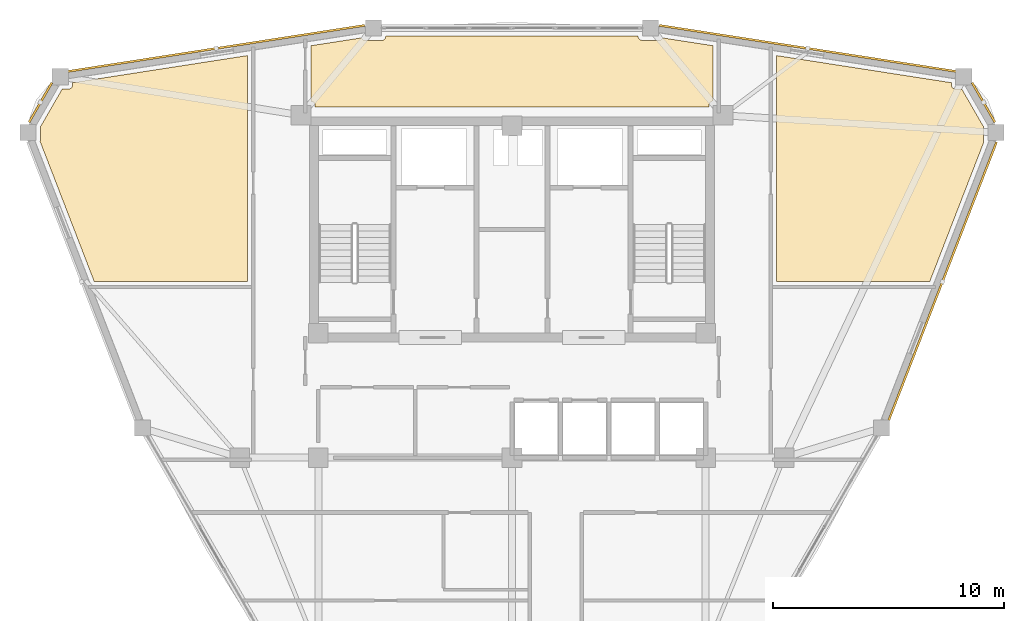
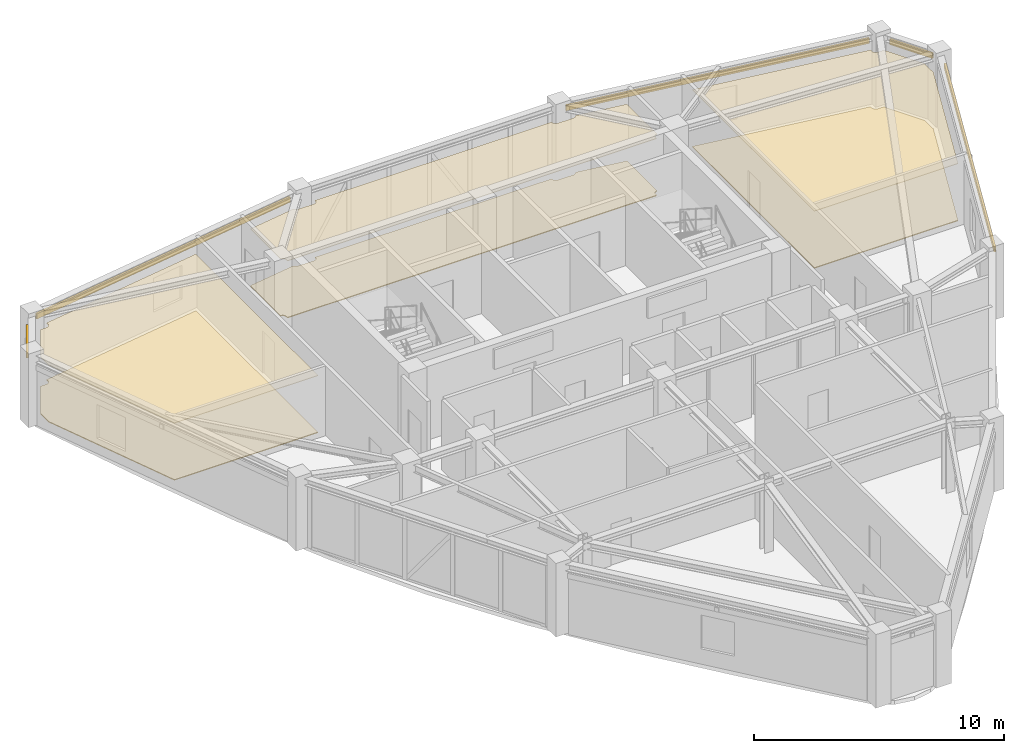
# One storey, part 15 of 15: 6 coverings, 5 shading devices.
"""IFC4 building model written with IfcOpenShell, lengths in metres."""

from ifc_helpers import new_model, si_unit, derived_unit, direction, frame, origin, origin_2d, place, context, subcontext, project, spatial, polyline, hollow_rectangle, outline, extrude, source, transform, mapped, material, layer, layer_set, material_profile, profile_set, type_object, element, save


model = new_model("IFC4")

# Units and contexts
model_context = context("Model", 3, precision=1e-05, world=origin(), true_north=direction((0.0, 1.0)))
body_context = subcontext(model_context, "Body", "Model", "MODEL_VIEW")
ifc_project = project(units=[si_unit("LENGTHUNIT", "METRE"), si_unit("AREAUNIT", "SQUARE_METRE"), si_unit("VOLUMEUNIT", "CUBIC_METRE"), si_unit("PLANEANGLEUNIT", "RADIAN"), si_unit("MASSUNIT", "GRAM", prefix="KILO"), derived_unit("THERMALTRANSMITTANCEUNIT", [(si_unit("POWERUNIT", "WATT"), 1), (si_unit("LENGTHUNIT", "METRE"), -2), (si_unit("THERMODYNAMICTEMPERATUREUNIT", "KELVIN"), -1)])], contexts=[model_context])

# Site, building, storey
site_placement = place(None, origin())
site = spatial("IfcSite", under=ifc_project, at=site_placement, CompositionType="ELEMENT")
building_placement = place(site_placement, origin())
building = spatial("IfcBuilding", under=site, at=building_placement, Name="Korsvarv Bourse and Concert Hall", CompositionType="ELEMENT")
storey_placement = place(building_placement, frame((0.0, 0.0, 246.60009765625)))
storey = spatial("IfcBuildingStorey", under=building, at=storey_placement, Name="L64", CompositionType="ELEMENT", Elevation=246.60009765625)

# Coverings
ifc_material_1 = material(Name="Perforated mineral-wool and birch acoustic baffle ceiling", Category="wood")
ifc_layer_1 = layer(ifc_material_1, 0.02490234375)
ifc_layer_set_1 = layer_set([ifc_layer_1], Name="Perforated mineral-wool and birch acoustic baffle ceiling")
covering_type_1 = type_object("IfcCoveringType", Name="COV-CEIL-1", PredefinedType="CEILING", material=ifc_layer_set_1)
covering_1_placement = place(storey_placement, frame((0.0, 0.0, 2.789794921875)))
element("IfcCovering", 1, at=covering_1_placement, inside=storey, type_object=covering_type_1, Name="L64 acoustic baffle ceiling 1", PredefinedType="CEILING", context=body_context, shape_type="SweptSolid", body=[
    extrude(outline(polyline([(15.538330078125, 46.106201171875), (15.542236328125, 46.14111328125), (15.551513671875, 46.7578125), (16.490478515625, 48.384033203125), (16.759521484375, 48.384033203125), (16.793701171875, 48.387451171875), (16.826904296875, 48.397216796875), (16.857421875, 48.4130859375), (16.884521484375, 48.434326171875), (16.90673828125, 48.46044921875), (16.923828125, 48.490234375), (16.934814453125, 48.52294921875), (16.939453125, 48.556884765625), (16.943603515625, 48.6630859375), (24.52001953125, 49.8388671875), (24.52001953125, 40.050048828125), (17.877197265625, 40.050048828125), (15.538330078125, 46.106201171875)])), origin(), (0.0, 0.0, 1.0), 0.025146484375),
])
covering_2_placement = place(storey_placement, frame((0.0, 0.0, 2.789794921875)))
element("IfcCovering", 2, at=covering_2_placement, inside=storey, type_object=covering_type_1, Name="L64 acoustic baffle ceiling 2", PredefinedType="CEILING", context=body_context, shape_type="SweptSolid", body=[
    extrude(outline(polyline([(55.05029296875, 48.57421875), (55.0537109375, 48.53955078125), (55.063720703125, 48.50634765625), (55.079833984375, 48.4755859375), (55.1015625, 48.448486328125), (55.1279296875, 48.426025390625), (55.158203125, 48.4091796875), (55.19140625, 48.3984375), (55.2255859375, 48.394287109375), (55.508056640625, 48.38671875), (56.44775390625, 46.759033203125), (56.44775390625, 46.15380859375), (56.451171875, 46.11865234375), (56.461181640625, 46.085693359375), (54.122802734375, 40.050048828125), (47.47998046875, 40.050048828125), (47.47998046875, 49.8388671875), (55.05029296875, 48.663818359375), (55.05029296875, 48.57421875)])), origin(), (0.0, 0.0, 1.0), 0.025146484375),
])
covering_3_placement = place(storey_placement, frame((0.0, 0.0, 2.789794921875)))
element("IfcCovering", 3, at=covering_3_placement, inside=storey, type_object=covering_type_1, Name="L64 acoustic baffle ceiling 3", PredefinedType="CEILING", context=body_context, shape_type="SweptSolid", body=[
    extrude(outline(polyline([(29.472412109375, 50.607421875), (29.4853515625, 50.58349609375), (29.50732421875, 50.556396484375), (29.5341796875, 50.533935546875), (29.56494140625, 50.51708984375), (29.598388671875, 50.506591796875), (29.633056640625, 50.502685546875), (30.343017578125, 50.49267578125), (30.37744140625, 50.49560546875), (30.41064453125, 50.5048828125), (30.44140625, 50.520263671875), (30.46875, 50.54150390625), (30.491455078125, 50.5673828125), (30.5087890625, 50.59716796875), (30.5205078125, 50.629638671875), (30.525390625, 50.663818359375), (30.52685546875, 50.692626953125), (41.46435546875, 50.692626953125), (41.46533203125, 50.665283203125), (41.471923828125, 50.630859375), (41.4853515625, 50.598388671875), (41.504638671875, 50.5693359375), (41.529052734375, 50.54443359375), (41.55810546875, 50.52490234375), (41.590087890625, 50.510986328125), (41.62451171875, 50.50390625), (42.351806640625, 50.49267578125), (42.387939453125, 50.495849609375), (42.4228515625, 50.506103515625), (42.454833984375, 50.523193359375), (42.482666015625, 50.54638671875), (42.50537109375, 50.57470703125), (42.52197265625, 50.607177734375), (44.7099609375, 50.268798828125), (44.7099609375, 47.8642578125), (44.674072265625, 47.857666015625), (44.64208984375, 47.8447265625), (44.613037109375, 47.825927734375), (44.58837890625, 47.802001953125), (44.568603515625, 47.77392578125), (44.554443359375, 47.742431640625), (44.546630859375, 47.708984375), (44.541748046875, 47.60009765625), (27.465087890625, 47.60009765625), (27.465087890625, 47.675048828125), (27.461181640625, 47.711181640625), (27.450439453125, 47.74560546875), (27.43310546875, 47.77734375), (27.409423828125, 47.804931640625), (27.380859375, 47.827392578125), (27.348388671875, 47.843505859375), (27.313232421875, 47.852783203125), (27.2900390625, 47.85498046875), (27.2900390625, 50.268798828125), (29.472412109375, 50.607421875)])), origin(), (0.0, 0.0, 1.0), 0.025146484375),
])
ifc_material_2 = material(Name="Calcium-sulphate raised access trading floor with Nordic oak top", Category="wood")
ifc_layer_2 = layer(ifc_material_2, 0.0400390625)
ifc_layer_set_2 = layer_set([ifc_layer_2], Name="Calcium-sulphate raised access trading floor with Nordic oak top")
covering_type_2 = type_object("IfcCoveringType", Name="COV-FLOR-1", PredefinedType="FLOORING", material=ifc_layer_set_2)
covering_4_placement = place(storey_placement, origin())
element("IfcCovering", 4, at=covering_4_placement, inside=storey, type_object=covering_type_2, Name="L64 raised access oak floor finish 1", PredefinedType="FLOORING", context=body_context, shape_type="SweptSolid", body=[
    extrude(outline(polyline([(15.538330078125, 46.106201171875), (15.542236328125, 46.14111328125), (15.551513671875, 46.7578125), (16.490478515625, 48.384033203125), (16.759521484375, 48.384033203125), (16.793701171875, 48.387451171875), (16.826904296875, 48.397216796875), (16.857421875, 48.4130859375), (16.884521484375, 48.434326171875), (16.90673828125, 48.46044921875), (16.923828125, 48.490234375), (16.934814453125, 48.52294921875), (16.939453125, 48.556884765625), (16.943603515625, 48.6630859375), (24.52001953125, 49.8388671875), (24.52001953125, 40.050048828125), (17.877197265625, 40.050048828125), (15.538330078125, 46.106201171875)])), origin(), (0.0, 0.0, 1.0), 0.039794921875),
])
covering_5_placement = place(storey_placement, origin())
element("IfcCovering", 5, at=covering_5_placement, inside=storey, type_object=covering_type_2, Name="L64 raised access oak floor finish 2", PredefinedType="FLOORING", context=body_context, shape_type="SweptSolid", body=[
    extrude(outline(polyline([(55.05029296875, 48.57421875), (55.0537109375, 48.53955078125), (55.063720703125, 48.50634765625), (55.079833984375, 48.4755859375), (55.1015625, 48.448486328125), (55.1279296875, 48.426025390625), (55.158203125, 48.4091796875), (55.19140625, 48.3984375), (55.2255859375, 48.394287109375), (55.508056640625, 48.38671875), (56.44775390625, 46.759033203125), (56.44775390625, 46.15380859375), (56.451171875, 46.11865234375), (56.461181640625, 46.085693359375), (54.122802734375, 40.050048828125), (47.47998046875, 40.050048828125), (47.47998046875, 49.8388671875), (55.05029296875, 48.663818359375), (55.05029296875, 48.57421875)])), origin(), (0.0, 0.0, 1.0), 0.039794921875),
])
covering_6_placement = place(storey_placement, origin())
element("IfcCovering", 6, at=covering_6_placement, inside=storey, type_object=covering_type_2, Name="L64 raised access oak floor finish 3", PredefinedType="FLOORING", context=body_context, shape_type="SweptSolid", body=[
    extrude(outline(polyline([(29.472412109375, 50.607421875), (29.4853515625, 50.58349609375), (29.50732421875, 50.556396484375), (29.5341796875, 50.533935546875), (29.56494140625, 50.51708984375), (29.598388671875, 50.506591796875), (29.633056640625, 50.502685546875), (30.343017578125, 50.49267578125), (30.37744140625, 50.49560546875), (30.41064453125, 50.5048828125), (30.44140625, 50.520263671875), (30.46875, 50.54150390625), (30.491455078125, 50.5673828125), (30.5087890625, 50.59716796875), (30.5205078125, 50.629638671875), (30.525390625, 50.663818359375), (30.52685546875, 50.692626953125), (41.46435546875, 50.692626953125), (41.46533203125, 50.665283203125), (41.471923828125, 50.630859375), (41.4853515625, 50.598388671875), (41.504638671875, 50.5693359375), (41.529052734375, 50.54443359375), (41.55810546875, 50.52490234375), (41.590087890625, 50.510986328125), (41.62451171875, 50.50390625), (42.351806640625, 50.49267578125), (42.387939453125, 50.495849609375), (42.4228515625, 50.506103515625), (42.454833984375, 50.523193359375), (42.482666015625, 50.54638671875), (42.50537109375, 50.57470703125), (42.52197265625, 50.607177734375), (44.7099609375, 50.268798828125), (44.7099609375, 47.8642578125), (44.674072265625, 47.857666015625), (44.64208984375, 47.8447265625), (44.613037109375, 47.825927734375), (44.58837890625, 47.802001953125), (44.568603515625, 47.77392578125), (44.554443359375, 47.742431640625), (44.546630859375, 47.708984375), (44.541748046875, 47.60009765625), (27.465087890625, 47.60009765625), (27.465087890625, 47.675048828125), (27.461181640625, 47.711181640625), (27.450439453125, 47.74560546875), (27.43310546875, 47.77734375), (27.409423828125, 47.804931640625), (27.380859375, 47.827392578125), (27.348388671875, 47.843505859375), (27.313232421875, 47.852783203125), (27.2900390625, 47.85498046875), (27.2900390625, 50.268798828125), (29.472412109375, 50.607421875)])), origin(), (0.0, 0.0, 1.0), 0.039794921875),
])

# Shading devices
ifc_material_3 = material(Name="Glazed extruded architectural terracotta", Category="ceramic")
ifc_material_profile = material_profile(ifc_material_3, hollow_rectangle(XDim=0.090087890625, YDim=0.260009765625, WallThickness=0.011962890625, at=origin_2d()), Name="TC-BAG 90x260")
ifc_profile_set = profile_set([ifc_material_profile], Name="Glazed extruded architectural terracotta")
shading_device_type = type_object("IfcShadingDeviceType", Name="SHD-BAG-1", PredefinedType="USERDEFINED", material=ifc_profile_set)
shared_shape_1 = source(origin(), body_context, "Body", "SweptSolid", [
    extrude(hollow_rectangle(XDim=0.090087890625, YDim=0.260009765625, WallThickness=0.011962890625, at=origin_2d()), origin(), (0.0, 0.0, 1.0), 1.97509765625),
])
for number, where, z_axis, x_axis, name in (
    (7, (56.943115234375, 46.951171875, 2.919921875), (-0.500007788796, 0.866020906874, 0.0), (-0.866020906874, -0.500007788796, 0.0), "L64 terracotta baguette sunshade EW-L64-B01"),
    (8, (16.04443359375, 48.66162109375, 2.919921875), (-0.500007788796, -0.866020906874, 0.0), (0.866020906874, -0.500007788796, 0.0), "L64 terracotta baguette sunshade EW-L64-B05"),
):
    element("IfcShadingDevice", number, at=place(storey_placement, frame(where, z_axis=z_axis, x_axis=x_axis)), inside=storey, type_object=shading_device_type, Name=name, ObjectType="BAGUETTE", PredefinedType="USERDEFINED", context=body_context, shape_type="MappedRepresentation", body=[
        mapped(shared_shape_1, transform((0.0, 0.0, 0.0), scale=1.0)),
    ])
shared_shape_2 = source(origin(), body_context, "Body", "SweptSolid", [
    extrude(hollow_rectangle(XDim=0.090087890625, YDim=0.260009765625, WallThickness=0.011962890625, at=origin_2d()), origin(), (0.0, 0.0, 1.0), 13.030029296875),
])
for number, where, z_axis, x_axis, name in (
    (9, (55.26220703125, 49.152099609375, 2.919921875), (-0.988170476673, 0.153359411293, 0.0), (-0.153359411293, -0.988170476673, 0.0), "L64 terracotta baguette sunshade EW-L64-B02"),
    (10, (29.61376953125, 51.150390625, 2.919921875), (-0.988170476673, -0.153359411293, 0.0), (0.153359411293, -0.988170476673, 0.0), "L64 terracotta baguette sunshade EW-L64-B04"),
):
    element("IfcShadingDevice", number, at=place(storey_placement, frame(where, z_axis=z_axis, x_axis=x_axis)), inside=storey, type_object=shading_device_type, Name=name, ObjectType="BAGUETTE", PredefinedType="USERDEFINED", context=body_context, shape_type="MappedRepresentation", body=[
        mapped(shared_shape_2, transform((0.0, 0.0, 0.0), scale=1.0)),
    ])
shared_shape_3 = source(origin(), body_context, "Body", "SweptSolid", [
    extrude(hollow_rectangle(XDim=0.090087890625, YDim=0.260009765625, WallThickness=0.011962890625, at=origin_2d()), origin(), (0.0, 0.0, 1.0), 12.9873046875),
])
shading_device_placement = place(storey_placement, frame((52.321533203125, 33.975341796875, 2.919921875), z_axis=(0.361269378379, 0.93246149317, 0.0), x_axis=(-0.93246149317, 0.361269378379, 0.0)))
element("IfcShadingDevice", 11, at=shading_device_placement, inside=storey, type_object=shading_device_type, Name="L64 terracotta baguette sunshade EW-L64-B12", ObjectType="BAGUETTE", PredefinedType="USERDEFINED", context=body_context, shape_type="MappedRepresentation", body=[
    mapped(shared_shape_3, transform((0.0, 0.0, 0.0), scale=1.0)),
])

save(model, "model.ifc")
